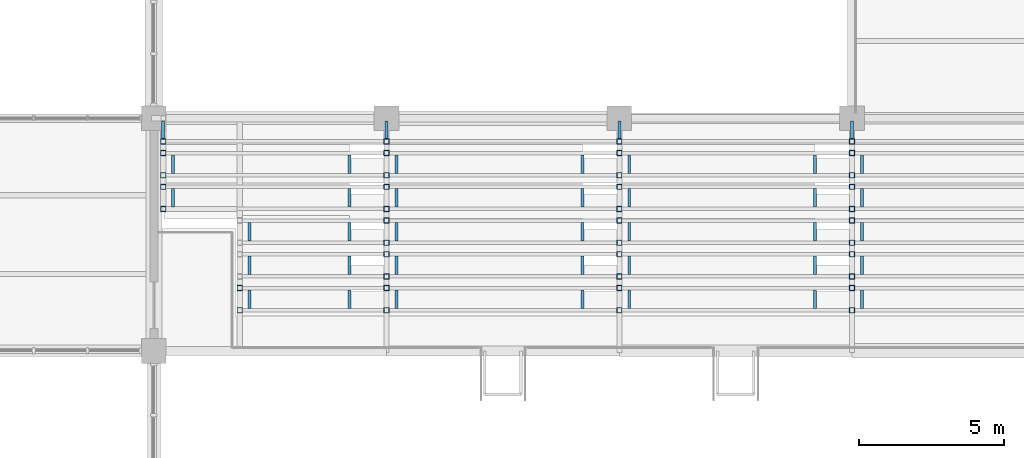
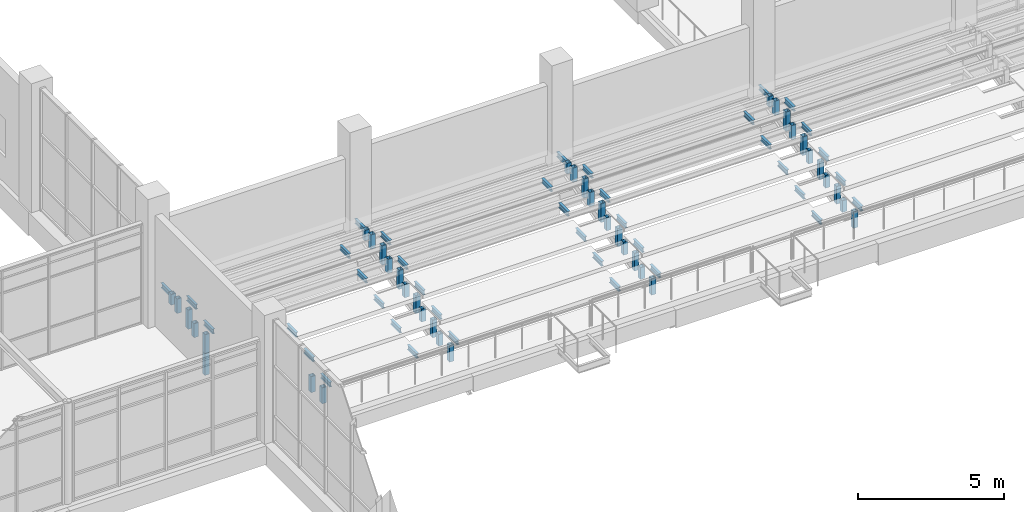
# One storey, part 68 of 122: 41 members, 39 beams.
"""IFC4 building model written with IfcOpenShell, lengths in metres."""

from ifc_helpers import new_model, si_unit, direction, frame, origin, origin_2d, place, context, subcontext, project, spatial, hollow_rectangle, i_section, extrude, material, material_profile, profile_set, type_object, element, save


model = new_model("IFC4")

# Units and contexts
model_context = context("Model", 3, precision=1e-05, world=origin(), true_north=direction((0.0, 1.0)))
body_context = subcontext(model_context, "Body", "Model", "MODEL_VIEW")
ifc_project = project(units=[si_unit("LENGTHUNIT", "METRE"), si_unit("AREAUNIT", "SQUARE_METRE"), si_unit("VOLUMEUNIT", "CUBIC_METRE"), si_unit("PLANEANGLEUNIT", "RADIAN"), si_unit("MASSUNIT", "GRAM", prefix="KILO")], contexts=[model_context])

# Site, building, storey
site_placement = place(None, origin())
site = spatial("IfcSite", under=ifc_project, at=site_placement, CompositionType="ELEMENT")
building_placement = place(site_placement, origin())
building = spatial("IfcBuilding", under=site, at=building_placement, Name="Tenunan Teduh Sports Hall", CompositionType="ELEMENT")
storey_placement = place(building_placement, frame((0.0, 0.0, 5.39990234375)))
storey = spatial("IfcBuildingStorey", under=building, at=storey_placement, Name="L01", CompositionType="ELEMENT", Elevation=5.39990234375)

# Beams
ifc_material_1 = material(Name="Steel S355", Category="steel")
ifc_material_profile_1 = material_profile(ifc_material_1, i_section(OverallWidth=0.10009765625, OverallDepth=0.199951171875, WebThickness=0.005615234375, FlangeThickness=0.008544921875, FilletRadius=0.011962890625, at=origin_2d()), Name="IPE 200")
ifc_profile_set_1 = profile_set([ifc_material_profile_1], Name="Steel S355")
beam_type = type_object("IfcBeamType", Name="JST-IPE200", PredefinedType="JOIST", material=ifc_profile_set_1)
for number, where, z_axis, x_axis, name in (
    (1, (122.320068359375, 45.2900390625, 1.380126953125), (0.0, 1.0, 0.0), (-1.0, 0.0, 0.0), "BM-J-01-L01-2243"),
    (2, (130.0, 45.2900390625, 1.380126953125), (0.0, 1.0, 0.0), (-1.0, 0.0, 0.0), "BM-J-01-L01-2245"),
    (3, (138.0, 45.2900390625, 1.380126953125), (0.0, 1.0, 0.0), (-1.0, 0.0, 0.0), "BM-J-01-L01-2247"),
    (4, (146.0, 45.2900390625, 1.380126953125), (0.0, 1.0, 0.0), (-1.0, 0.0, 0.0), "BM-J-01-L01-2249"),
):
    element("IfcBeam", number, at=place(storey_placement, frame(where, z_axis=z_axis, x_axis=x_axis)), inside=storey, type_object=beam_type, Name=name, PredefinedType="JOIST", context=body_context, shape_type="SweptSolid", body=[
        extrude(i_section(OverallWidth=0.10009765625, OverallDepth=0.199951171875, WebThickness=0.005615234375, FlangeThickness=0.008544921875, FilletRadius=0.011962890625, at=origin_2d()), origin(), (0.0, 0.0, 1.0), 0.619873046875),
    ])
for number, where, z_axis, x_axis, name in (
    (5, (125.2900390625, 39.4599609375, 0.070068359375), (0.0, 1.0, 0.0), (-1.0, 0.0, 0.0), "BM-J-01-L01-2270"),
    (6, (128.72998046875, 39.4599609375, 0.070068359375), (0.0, 1.0, 0.0), (-1.0, 0.0, 0.0), "BM-J-01-L01-2271"),
):
    element("IfcBeam", number, at=place(storey_placement, frame(where, z_axis=z_axis, x_axis=x_axis)), inside=storey, type_object=beam_type, Name=name, PredefinedType="JOIST", context=body_context, shape_type="SweptSolid", body=[
        extrude(i_section(OverallWidth=0.10009765625, OverallDepth=0.199951171875, WebThickness=0.005615234375, FlangeThickness=0.008544921875, FilletRadius=0.011962890625, at=origin_2d()), origin(), (0.0, 0.0, 1.0), 0.64013671875),
    ])
for number, where, z_axis, x_axis, name in (
    (7, (125.2900390625, 40.6201171875, 0.425048828125), (0.0, 1.0, 0.0), (-1.0, 0.0, 0.0), "BM-J-01-L01-2274"),
    (8, (128.72998046875, 40.6201171875, 0.425048828125), (0.0, 1.0, 0.0), (-1.0, 0.0, 0.0), "BM-J-01-L01-2275"),
    (9, (125.2900390625, 41.780029296875, 0.75), (0.0, 1.0, 0.0), (-1.0, 0.0, 0.0), "BM-J-01-L01-2278"),
    (10, (128.72998046875, 41.780029296875, 0.75), (0.0, 1.0, 0.0), (-1.0, 0.0, 0.0), "BM-J-01-L01-2279"),
):
    element("IfcBeam", number, at=place(storey_placement, frame(where, z_axis=z_axis, x_axis=x_axis)), inside=storey, type_object=beam_type, Name=name, PredefinedType="JOIST", context=body_context, shape_type="SweptSolid", body=[
        extrude(i_section(OverallWidth=0.10009765625, OverallDepth=0.199951171875, WebThickness=0.005615234375, FlangeThickness=0.008544921875, FilletRadius=0.011962890625, at=origin_2d()), origin(), (0.0, 0.0, 1.0), 0.639892578125),
    ])
for number, where, z_axis, x_axis, name in (
    (11, (122.659912109375, 42.93994140625, 1.10498046875), (0.0, 1.0, 0.0), (-1.0, 0.0, 0.0), "BM-J-01-L01-2282"),
    (12, (128.72998046875, 42.93994140625, 1.10498046875), (0.0, 1.0, 0.0), (-1.0, 0.0, 0.0), "BM-J-01-L01-2283"),
):
    element("IfcBeam", number, at=place(storey_placement, frame(where, z_axis=z_axis, x_axis=x_axis)), inside=storey, type_object=beam_type, Name=name, PredefinedType="JOIST", context=body_context, shape_type="SweptSolid", body=[
        extrude(i_section(OverallWidth=0.10009765625, OverallDepth=0.199951171875, WebThickness=0.005615234375, FlangeThickness=0.008544921875, FilletRadius=0.011962890625, at=origin_2d()), origin(), (0.0, 0.0, 1.0), 0.64013671875),
    ])
for number, where, z_axis, x_axis, name in (
    (13, (122.659912109375, 44.10009765625, 1.43017578125), (0.0, 1.0, 0.0), (-1.0, 0.0, 0.0), "BM-J-01-L01-2286"),
    (14, (128.72998046875, 44.10009765625, 1.43017578125), (0.0, 1.0, 0.0), (-1.0, 0.0, 0.0), "BM-J-01-L01-2287"),
):
    element("IfcBeam", number, at=place(storey_placement, frame(where, z_axis=z_axis, x_axis=x_axis)), inside=storey, type_object=beam_type, Name=name, PredefinedType="JOIST", context=body_context, shape_type="SweptSolid", body=[
        extrude(i_section(OverallWidth=0.10009765625, OverallDepth=0.199951171875, WebThickness=0.005615234375, FlangeThickness=0.008544921875, FilletRadius=0.011962890625, at=origin_2d()), origin(), (0.0, 0.0, 1.0), 0.639892578125),
    ])
for number, where, z_axis, x_axis, name in (
    (15, (130.340087890625, 39.4599609375, 0.070068359375), (0.0, 1.0, 0.0), (-1.0, 0.0, 0.0), "BM-J-01-L01-2290"),
    (16, (136.72998046875, 39.4599609375, 0.070068359375), (0.0, 1.0, 0.0), (-1.0, 0.0, 0.0), "BM-J-01-L01-2291"),
):
    element("IfcBeam", number, at=place(storey_placement, frame(where, z_axis=z_axis, x_axis=x_axis)), inside=storey, type_object=beam_type, Name=name, PredefinedType="JOIST", context=body_context, shape_type="SweptSolid", body=[
        extrude(i_section(OverallWidth=0.10009765625, OverallDepth=0.199951171875, WebThickness=0.005615234375, FlangeThickness=0.008544921875, FilletRadius=0.011962890625, at=origin_2d()), origin(), (0.0, 0.0, 1.0), 0.64013671875),
    ])
for number, where, z_axis, x_axis, name in (
    (17, (130.340087890625, 40.6201171875, 0.425048828125), (0.0, 1.0, 0.0), (-1.0, 0.0, 0.0), "BM-J-01-L01-2294"),
    (18, (136.72998046875, 40.6201171875, 0.425048828125), (0.0, 1.0, 0.0), (-1.0, 0.0, 0.0), "BM-J-01-L01-2295"),
    (19, (130.340087890625, 41.780029296875, 0.75), (0.0, 1.0, 0.0), (-1.0, 0.0, 0.0), "BM-J-01-L01-2298"),
    (20, (136.72998046875, 41.780029296875, 0.75), (0.0, 1.0, 0.0), (-1.0, 0.0, 0.0), "BM-J-01-L01-2299"),
):
    element("IfcBeam", number, at=place(storey_placement, frame(where, z_axis=z_axis, x_axis=x_axis)), inside=storey, type_object=beam_type, Name=name, PredefinedType="JOIST", context=body_context, shape_type="SweptSolid", body=[
        extrude(i_section(OverallWidth=0.10009765625, OverallDepth=0.199951171875, WebThickness=0.005615234375, FlangeThickness=0.008544921875, FilletRadius=0.011962890625, at=origin_2d()), origin(), (0.0, 0.0, 1.0), 0.639892578125),
    ])
for number, where, z_axis, x_axis, name in (
    (21, (130.340087890625, 42.93994140625, 1.10498046875), (0.0, 1.0, 0.0), (-1.0, 0.0, 0.0), "BM-J-01-L01-2302"),
    (22, (136.72998046875, 42.93994140625, 1.10498046875), (0.0, 1.0, 0.0), (-1.0, 0.0, 0.0), "BM-J-01-L01-2303"),
):
    element("IfcBeam", number, at=place(storey_placement, frame(where, z_axis=z_axis, x_axis=x_axis)), inside=storey, type_object=beam_type, Name=name, PredefinedType="JOIST", context=body_context, shape_type="SweptSolid", body=[
        extrude(i_section(OverallWidth=0.10009765625, OverallDepth=0.199951171875, WebThickness=0.005615234375, FlangeThickness=0.008544921875, FilletRadius=0.011962890625, at=origin_2d()), origin(), (0.0, 0.0, 1.0), 0.64013671875),
    ])
for number, where, z_axis, x_axis, name in (
    (23, (130.340087890625, 44.10009765625, 1.43017578125), (0.0, 1.0, 0.0), (-1.0, 0.0, 0.0), "BM-J-01-L01-2306"),
    (24, (136.72998046875, 44.10009765625, 1.43017578125), (0.0, 1.0, 0.0), (-1.0, 0.0, 0.0), "BM-J-01-L01-2307"),
):
    element("IfcBeam", number, at=place(storey_placement, frame(where, z_axis=z_axis, x_axis=x_axis)), inside=storey, type_object=beam_type, Name=name, PredefinedType="JOIST", context=body_context, shape_type="SweptSolid", body=[
        extrude(i_section(OverallWidth=0.10009765625, OverallDepth=0.199951171875, WebThickness=0.005615234375, FlangeThickness=0.008544921875, FilletRadius=0.011962890625, at=origin_2d()), origin(), (0.0, 0.0, 1.0), 0.639892578125),
    ])
for number, where, z_axis, x_axis, name in (
    (25, (138.340087890625, 39.4599609375, 0.070068359375), (0.0, 1.0, 0.0), (-1.0, 0.0, 0.0), "BM-J-01-L01-2310"),
    (26, (144.72998046875, 39.4599609375, 0.070068359375), (0.0, 1.0, 0.0), (-1.0, 0.0, 0.0), "BM-J-01-L01-2311"),
):
    element("IfcBeam", number, at=place(storey_placement, frame(where, z_axis=z_axis, x_axis=x_axis)), inside=storey, type_object=beam_type, Name=name, PredefinedType="JOIST", context=body_context, shape_type="SweptSolid", body=[
        extrude(i_section(OverallWidth=0.10009765625, OverallDepth=0.199951171875, WebThickness=0.005615234375, FlangeThickness=0.008544921875, FilletRadius=0.011962890625, at=origin_2d()), origin(), (0.0, 0.0, 1.0), 0.64013671875),
    ])
for number, where, z_axis, x_axis, name in (
    (27, (138.340087890625, 40.6201171875, 0.425048828125), (0.0, 1.0, 0.0), (-1.0, 0.0, 0.0), "BM-J-01-L01-2314"),
    (28, (144.72998046875, 40.6201171875, 0.425048828125), (0.0, 1.0, 0.0), (-1.0, 0.0, 0.0), "BM-J-01-L01-2315"),
    (29, (138.340087890625, 41.780029296875, 0.75), (0.0, 1.0, 0.0), (-1.0, 0.0, 0.0), "BM-J-01-L01-2318"),
    (30, (144.72998046875, 41.780029296875, 0.75), (0.0, 1.0, 0.0), (-1.0, 0.0, 0.0), "BM-J-01-L01-2319"),
):
    element("IfcBeam", number, at=place(storey_placement, frame(where, z_axis=z_axis, x_axis=x_axis)), inside=storey, type_object=beam_type, Name=name, PredefinedType="JOIST", context=body_context, shape_type="SweptSolid", body=[
        extrude(i_section(OverallWidth=0.10009765625, OverallDepth=0.199951171875, WebThickness=0.005615234375, FlangeThickness=0.008544921875, FilletRadius=0.011962890625, at=origin_2d()), origin(), (0.0, 0.0, 1.0), 0.639892578125),
    ])
for number, where, z_axis, x_axis, name in (
    (31, (138.340087890625, 42.93994140625, 1.10498046875), (0.0, 1.0, 0.0), (-1.0, 0.0, 0.0), "BM-J-01-L01-2322"),
    (32, (144.72998046875, 42.93994140625, 1.10498046875), (0.0, 1.0, 0.0), (-1.0, 0.0, 0.0), "BM-J-01-L01-2323"),
):
    element("IfcBeam", number, at=place(storey_placement, frame(where, z_axis=z_axis, x_axis=x_axis)), inside=storey, type_object=beam_type, Name=name, PredefinedType="JOIST", context=body_context, shape_type="SweptSolid", body=[
        extrude(i_section(OverallWidth=0.10009765625, OverallDepth=0.199951171875, WebThickness=0.005615234375, FlangeThickness=0.008544921875, FilletRadius=0.011962890625, at=origin_2d()), origin(), (0.0, 0.0, 1.0), 0.64013671875),
    ])
for number, where, z_axis, x_axis, name in (
    (33, (138.340087890625, 44.10009765625, 1.43017578125), (0.0, 1.0, 0.0), (-1.0, 0.0, 0.0), "BM-J-01-L01-2326"),
    (34, (144.72998046875, 44.10009765625, 1.43017578125), (0.0, 1.0, 0.0), (-1.0, 0.0, 0.0), "BM-J-01-L01-2327"),
):
    element("IfcBeam", number, at=place(storey_placement, frame(where, z_axis=z_axis, x_axis=x_axis)), inside=storey, type_object=beam_type, Name=name, PredefinedType="JOIST", context=body_context, shape_type="SweptSolid", body=[
        extrude(i_section(OverallWidth=0.10009765625, OverallDepth=0.199951171875, WebThickness=0.005615234375, FlangeThickness=0.008544921875, FilletRadius=0.011962890625, at=origin_2d()), origin(), (0.0, 0.0, 1.0), 0.639892578125),
    ])
beam_1_placement = place(storey_placement, frame((146.340087890625, 39.4599609375, 0.070068359375), z_axis=(0.0, 1.0, 0.0), x_axis=(-1.0, 0.0, 0.0)))
element("IfcBeam", 35, at=beam_1_placement, inside=storey, type_object=beam_type, Name="BM-J-01-L01-2330", PredefinedType="JOIST", context=body_context, shape_type="SweptSolid", body=[
    extrude(i_section(OverallWidth=0.10009765625, OverallDepth=0.199951171875, WebThickness=0.005615234375, FlangeThickness=0.008544921875, FilletRadius=0.011962890625, at=origin_2d()), origin(), (0.0, 0.0, 1.0), 0.64013671875),
])
for number, where, z_axis, x_axis, name in (
    (36, (146.340087890625, 40.6201171875, 0.425048828125), (0.0, 1.0, 0.0), (-1.0, 0.0, 0.0), "BM-J-01-L01-2334"),
    (37, (146.340087890625, 41.780029296875, 0.75), (0.0, 1.0, 0.0), (-1.0, 0.0, 0.0), "BM-J-01-L01-2338"),
):
    element("IfcBeam", number, at=place(storey_placement, frame(where, z_axis=z_axis, x_axis=x_axis)), inside=storey, type_object=beam_type, Name=name, PredefinedType="JOIST", context=body_context, shape_type="SweptSolid", body=[
        extrude(i_section(OverallWidth=0.10009765625, OverallDepth=0.199951171875, WebThickness=0.005615234375, FlangeThickness=0.008544921875, FilletRadius=0.011962890625, at=origin_2d()), origin(), (0.0, 0.0, 1.0), 0.639892578125),
    ])
beam_2_placement = place(storey_placement, frame((146.340087890625, 42.93994140625, 1.10498046875), z_axis=(0.0, 1.0, 0.0), x_axis=(-1.0, 0.0, 0.0)))
element("IfcBeam", 38, at=beam_2_placement, inside=storey, type_object=beam_type, Name="BM-J-01-L01-2342", PredefinedType="JOIST", context=body_context, shape_type="SweptSolid", body=[
    extrude(i_section(OverallWidth=0.10009765625, OverallDepth=0.199951171875, WebThickness=0.005615234375, FlangeThickness=0.008544921875, FilletRadius=0.011962890625, at=origin_2d()), origin(), (0.0, 0.0, 1.0), 0.64013671875),
])
beam_3_placement = place(storey_placement, frame((146.340087890625, 44.10009765625, 1.43017578125), z_axis=(0.0, 1.0, 0.0), x_axis=(-1.0, 0.0, 0.0)))
element("IfcBeam", 39, at=beam_3_placement, inside=storey, type_object=beam_type, Name="BM-J-01-L01-2346", PredefinedType="JOIST", context=body_context, shape_type="SweptSolid", body=[
    extrude(i_section(OverallWidth=0.10009765625, OverallDepth=0.199951171875, WebThickness=0.005615234375, FlangeThickness=0.008544921875, FilletRadius=0.011962890625, at=origin_2d()), origin(), (0.0, 0.0, 1.0), 0.639892578125),
])

# Members
ifc_material_2 = material(Name="Steel S355", Category="steel")
ifc_material_profile_2 = material_profile(ifc_material_2, hollow_rectangle(XDim=0.179931640625, YDim=0.179931640625, WallThickness=0.010009765625, at=origin_2d()), Name="SHS 180x180x10.0")
ifc_profile_set_2 = profile_set([ifc_material_profile_2], Name="Steel S355")
member_type = type_object("IfcMemberType", Name="MEM-ST-SHS180", PredefinedType="STRUT", material=ifc_profile_set_2)
member_1_placement = place(storey_placement, frame((122.320068359375, 42.8798828125, -0.5), z_axis=(0.0, 0.0, 1.0), x_axis=(1.0, 0.0, 0.0)))
element("IfcMember", 40, at=member_1_placement, inside=storey, type_object=member_type, Name="MEM-VS-03-L01-1282", PredefinedType="STRUT", context=body_context, shape_type="SweptSolid", body=[
    extrude(hollow_rectangle(XDim=0.179931640625, YDim=0.179931640625, WallThickness=0.010009765625, at=origin_2d()), origin(), (0.0, 0.0, 1.0), 0.908447265625),
])
for number, where, z_axis, x_axis, name in (
    (41, (122.320068359375, 45.199951171875, 1.03515625), (0.0, 0.0, 1.0), (1.0, 0.0, 0.0), "MEM-VS-03-L01-1284"),
    (42, (130.0, 45.199951171875, 1.03515625), (0.0, 0.0, 1.0), (1.0, 0.0, 0.0), "MEM-VS-03-L01-1285"),
    (43, (138.0, 45.199951171875, 1.03515625), (0.0, 0.0, 1.0), (1.0, 0.0, 0.0), "MEM-VS-03-L01-1286"),
    (44, (146.0, 45.199951171875, 1.03515625), (0.0, 0.0, 1.0), (1.0, 0.0, 0.0), "MEM-VS-03-L01-1287"),
):
    element("IfcMember", number, at=place(storey_placement, frame(where, z_axis=z_axis, x_axis=x_axis)), inside=storey, type_object=member_type, Name=name, PredefinedType="STRUT", context=body_context, shape_type="SweptSolid", body=[
        extrude(hollow_rectangle(XDim=0.179931640625, YDim=0.179931640625, WallThickness=0.010009765625, at=origin_2d()), origin(), (0.0, 0.0, 1.0), 0.44482421875),
    ])
for number, where, z_axis, x_axis, name in (
    (45, (124.949951171875, 39.39990234375, -0.5), (0.0, 0.0, 1.0), (1.0, 0.0, 0.0), "MEM-VS-03-L01-1293"),
    (46, (124.949951171875, 40.159912109375, -0.5), (0.0, 0.0, 1.0), (1.0, 0.0, 0.0), "MEM-VS-03-L01-1294"),
):
    element("IfcMember", number, at=place(storey_placement, frame(where, z_axis=z_axis, x_axis=x_axis)), inside=storey, type_object=member_type, Name=name, PredefinedType="STRUT", context=body_context, shape_type="SweptSolid", body=[
        extrude(hollow_rectangle(XDim=0.179931640625, YDim=0.179931640625, WallThickness=0.010009765625, at=origin_2d()), origin(), (0.0, 0.0, 1.0), 0.670166015625),
    ])
member_2_placement = place(storey_placement, frame((122.320068359375, 42.8798828125, 0.41162109375), z_axis=(0.0, 0.0, 1.0), x_axis=(1.0, 0.0, 0.0)))
element("IfcMember", 47, at=member_2_placement, inside=storey, type_object=member_type, Name="MEM-VS-03-L01-1299", PredefinedType="STRUT", context=body_context, shape_type="SweptSolid", body=[
    extrude(hollow_rectangle(XDim=0.179931640625, YDim=0.179931640625, WallThickness=0.010009765625, at=origin_2d()), origin(), (0.0, 0.0, 1.0), 0.79345703125),
])
member_3_placement = place(storey_placement, frame((122.320068359375, 43.639892578125, 0.615966796875), z_axis=(0.0, 0.0, 1.0), x_axis=(1.0, 0.0, 0.0)))
element("IfcMember", 48, at=member_3_placement, inside=storey, type_object=member_type, Name="MEM-VS-03-L01-1300", PredefinedType="STRUT", context=body_context, shape_type="SweptSolid", body=[
    extrude(hollow_rectangle(XDim=0.179931640625, YDim=0.179931640625, WallThickness=0.010009765625, at=origin_2d()), origin(), (0.0, 0.0, 1.0), 0.589111328125),
])
member_4_placement = place(storey_placement, frame((122.320068359375, 44.0400390625, 0.723388671875), z_axis=(0.0, 0.0, 1.0), x_axis=(1.0, 0.0, 0.0)))
element("IfcMember", 49, at=member_4_placement, inside=storey, type_object=member_type, Name="MEM-VS-03-L01-1301", PredefinedType="STRUT", context=body_context, shape_type="SweptSolid", body=[
    extrude(hollow_rectangle(XDim=0.179931640625, YDim=0.179931640625, WallThickness=0.010009765625, at=origin_2d()), origin(), (0.0, 0.0, 1.0), 0.806640625),
])
member_5_placement = place(storey_placement, frame((122.320068359375, 44.800048828125, 0.927490234375), z_axis=(0.0, 0.0, 1.0), x_axis=(1.0, 0.0, 0.0)))
element("IfcMember", 50, at=member_5_placement, inside=storey, type_object=member_type, Name="MEM-VS-03-L01-1302", PredefinedType="STRUT", context=body_context, shape_type="SweptSolid", body=[
    extrude(hollow_rectangle(XDim=0.179931640625, YDim=0.179931640625, WallThickness=0.010009765625, at=origin_2d()), origin(), (0.0, 0.0, 1.0), 0.6025390625),
])
member_6_placement = place(storey_placement, frame((130.0, 39.39990234375, -0.523681640625), z_axis=(0.0, 0.0, 1.0), x_axis=(1.0, 0.0, 0.0)))
element("IfcMember", 51, at=member_6_placement, inside=storey, type_object=member_type, Name="MEM-VS-03-L01-1303", PredefinedType="STRUT", context=body_context, shape_type="SweptSolid", body=[
    extrude(hollow_rectangle(XDim=0.179931640625, YDim=0.179931640625, WallThickness=0.010009765625, at=origin_2d()), origin(), (0.0, 0.0, 1.0), 0.69384765625),
])
member_7_placement = place(storey_placement, frame((130.0, 40.159912109375, -0.3193359375), z_axis=(0.0, 0.0, 1.0), x_axis=(1.0, 0.0, 0.0)))
element("IfcMember", 52, at=member_7_placement, inside=storey, type_object=member_type, Name="MEM-VS-03-L01-1304", PredefinedType="STRUT", context=body_context, shape_type="SweptSolid", body=[
    extrude(hollow_rectangle(XDim=0.179931640625, YDim=0.179931640625, WallThickness=0.010009765625, at=origin_2d()), origin(), (0.0, 0.0, 1.0), 0.489501953125),
])
member_8_placement = place(storey_placement, frame((130.0, 40.56005859375, -0.2119140625), z_axis=(0.0, 0.0, 1.0), x_axis=(1.0, 0.0, 0.0)))
element("IfcMember", 53, at=member_8_placement, inside=storey, type_object=member_type, Name="MEM-VS-03-L01-1305", PredefinedType="STRUT", context=body_context, shape_type="SweptSolid", body=[
    extrude(hollow_rectangle(XDim=0.179931640625, YDim=0.179931640625, WallThickness=0.010009765625, at=origin_2d()), origin(), (0.0, 0.0, 1.0), 0.737060546875),
])
member_9_placement = place(storey_placement, frame((130.0, 41.320068359375, -0.007568359375), z_axis=(0.0, 0.0, 1.0), x_axis=(1.0, 0.0, 0.0)))
element("IfcMember", 54, at=member_9_placement, inside=storey, type_object=member_type, Name="MEM-VS-03-L01-1306", PredefinedType="STRUT", context=body_context, shape_type="SweptSolid", body=[
    extrude(hollow_rectangle(XDim=0.179931640625, YDim=0.179931640625, WallThickness=0.010009765625, at=origin_2d()), origin(), (0.0, 0.0, 1.0), 0.53271484375),
])
member_10_placement = place(storey_placement, frame((130.0, 41.719970703125, 0.099853515625), z_axis=(0.0, 0.0, 1.0), x_axis=(1.0, 0.0, 0.0)))
element("IfcMember", 55, at=member_10_placement, inside=storey, type_object=member_type, Name="MEM-VS-03-L01-1307", PredefinedType="STRUT", context=body_context, shape_type="SweptSolid", body=[
    extrude(hollow_rectangle(XDim=0.179931640625, YDim=0.179931640625, WallThickness=0.010009765625, at=origin_2d()), origin(), (0.0, 0.0, 1.0), 0.750244140625),
])
member_11_placement = place(storey_placement, frame((130.0, 42.47998046875, 0.30419921875), z_axis=(0.0, 0.0, 1.0), x_axis=(1.0, 0.0, 0.0)))
element("IfcMember", 56, at=member_11_placement, inside=storey, type_object=member_type, Name="MEM-VS-03-L01-1308", PredefinedType="STRUT", context=body_context, shape_type="SweptSolid", body=[
    extrude(hollow_rectangle(XDim=0.179931640625, YDim=0.179931640625, WallThickness=0.010009765625, at=origin_2d()), origin(), (0.0, 0.0, 1.0), 0.5458984375),
])
member_12_placement = place(storey_placement, frame((130.0, 42.8798828125, 0.41162109375), z_axis=(0.0, 0.0, 1.0), x_axis=(1.0, 0.0, 0.0)))
element("IfcMember", 57, at=member_12_placement, inside=storey, type_object=member_type, Name="MEM-VS-03-L01-1309", PredefinedType="STRUT", context=body_context, shape_type="SweptSolid", body=[
    extrude(hollow_rectangle(XDim=0.179931640625, YDim=0.179931640625, WallThickness=0.010009765625, at=origin_2d()), origin(), (0.0, 0.0, 1.0), 0.79345703125),
])
member_13_placement = place(storey_placement, frame((130.0, 43.639892578125, 0.615966796875), z_axis=(0.0, 0.0, 1.0), x_axis=(1.0, 0.0, 0.0)))
element("IfcMember", 58, at=member_13_placement, inside=storey, type_object=member_type, Name="MEM-VS-03-L01-1310", PredefinedType="STRUT", context=body_context, shape_type="SweptSolid", body=[
    extrude(hollow_rectangle(XDim=0.179931640625, YDim=0.179931640625, WallThickness=0.010009765625, at=origin_2d()), origin(), (0.0, 0.0, 1.0), 0.589111328125),
])
member_14_placement = place(storey_placement, frame((130.0, 44.0400390625, 0.723388671875), z_axis=(0.0, 0.0, 1.0), x_axis=(1.0, 0.0, 0.0)))
element("IfcMember", 59, at=member_14_placement, inside=storey, type_object=member_type, Name="MEM-VS-03-L01-1311", PredefinedType="STRUT", context=body_context, shape_type="SweptSolid", body=[
    extrude(hollow_rectangle(XDim=0.179931640625, YDim=0.179931640625, WallThickness=0.010009765625, at=origin_2d()), origin(), (0.0, 0.0, 1.0), 0.806640625),
])
member_15_placement = place(storey_placement, frame((130.0, 44.800048828125, 0.927490234375), z_axis=(0.0, 0.0, 1.0), x_axis=(1.0, 0.0, 0.0)))
element("IfcMember", 60, at=member_15_placement, inside=storey, type_object=member_type, Name="MEM-VS-03-L01-1312", PredefinedType="STRUT", context=body_context, shape_type="SweptSolid", body=[
    extrude(hollow_rectangle(XDim=0.179931640625, YDim=0.179931640625, WallThickness=0.010009765625, at=origin_2d()), origin(), (0.0, 0.0, 1.0), 0.6025390625),
])
member_16_placement = place(storey_placement, frame((138.0, 39.39990234375, -0.523681640625), z_axis=(0.0, 0.0, 1.0), x_axis=(1.0, 0.0, 0.0)))
element("IfcMember", 61, at=member_16_placement, inside=storey, type_object=member_type, Name="MEM-VS-03-L01-1313", PredefinedType="STRUT", context=body_context, shape_type="SweptSolid", body=[
    extrude(hollow_rectangle(XDim=0.179931640625, YDim=0.179931640625, WallThickness=0.010009765625, at=origin_2d()), origin(), (0.0, 0.0, 1.0), 0.69384765625),
])
member_17_placement = place(storey_placement, frame((138.0, 40.159912109375, -0.3193359375), z_axis=(0.0, 0.0, 1.0), x_axis=(1.0, 0.0, 0.0)))
element("IfcMember", 62, at=member_17_placement, inside=storey, type_object=member_type, Name="MEM-VS-03-L01-1314", PredefinedType="STRUT", context=body_context, shape_type="SweptSolid", body=[
    extrude(hollow_rectangle(XDim=0.179931640625, YDim=0.179931640625, WallThickness=0.010009765625, at=origin_2d()), origin(), (0.0, 0.0, 1.0), 0.489501953125),
])
member_18_placement = place(storey_placement, frame((138.0, 40.56005859375, -0.2119140625), z_axis=(0.0, 0.0, 1.0), x_axis=(1.0, 0.0, 0.0)))
element("IfcMember", 63, at=member_18_placement, inside=storey, type_object=member_type, Name="MEM-VS-03-L01-1315", PredefinedType="STRUT", context=body_context, shape_type="SweptSolid", body=[
    extrude(hollow_rectangle(XDim=0.179931640625, YDim=0.179931640625, WallThickness=0.010009765625, at=origin_2d()), origin(), (0.0, 0.0, 1.0), 0.737060546875),
])
member_19_placement = place(storey_placement, frame((138.0, 41.320068359375, -0.007568359375), z_axis=(0.0, 0.0, 1.0), x_axis=(1.0, 0.0, 0.0)))
element("IfcMember", 64, at=member_19_placement, inside=storey, type_object=member_type, Name="MEM-VS-03-L01-1316", PredefinedType="STRUT", context=body_context, shape_type="SweptSolid", body=[
    extrude(hollow_rectangle(XDim=0.179931640625, YDim=0.179931640625, WallThickness=0.010009765625, at=origin_2d()), origin(), (0.0, 0.0, 1.0), 0.53271484375),
])
member_20_placement = place(storey_placement, frame((138.0, 41.719970703125, 0.099853515625), z_axis=(0.0, 0.0, 1.0), x_axis=(1.0, 0.0, 0.0)))
element("IfcMember", 65, at=member_20_placement, inside=storey, type_object=member_type, Name="MEM-VS-03-L01-1317", PredefinedType="STRUT", context=body_context, shape_type="SweptSolid", body=[
    extrude(hollow_rectangle(XDim=0.179931640625, YDim=0.179931640625, WallThickness=0.010009765625, at=origin_2d()), origin(), (0.0, 0.0, 1.0), 0.750244140625),
])
member_21_placement = place(storey_placement, frame((138.0, 42.47998046875, 0.30419921875), z_axis=(0.0, 0.0, 1.0), x_axis=(1.0, 0.0, 0.0)))
element("IfcMember", 66, at=member_21_placement, inside=storey, type_object=member_type, Name="MEM-VS-03-L01-1318", PredefinedType="STRUT", context=body_context, shape_type="SweptSolid", body=[
    extrude(hollow_rectangle(XDim=0.179931640625, YDim=0.179931640625, WallThickness=0.010009765625, at=origin_2d()), origin(), (0.0, 0.0, 1.0), 0.5458984375),
])
member_22_placement = place(storey_placement, frame((138.0, 42.8798828125, 0.41162109375), z_axis=(0.0, 0.0, 1.0), x_axis=(1.0, 0.0, 0.0)))
element("IfcMember", 67, at=member_22_placement, inside=storey, type_object=member_type, Name="MEM-VS-03-L01-1319", PredefinedType="STRUT", context=body_context, shape_type="SweptSolid", body=[
    extrude(hollow_rectangle(XDim=0.179931640625, YDim=0.179931640625, WallThickness=0.010009765625, at=origin_2d()), origin(), (0.0, 0.0, 1.0), 0.79345703125),
])
member_23_placement = place(storey_placement, frame((138.0, 43.639892578125, 0.615966796875), z_axis=(0.0, 0.0, 1.0), x_axis=(1.0, 0.0, 0.0)))
element("IfcMember", 68, at=member_23_placement, inside=storey, type_object=member_type, Name="MEM-VS-03-L01-1320", PredefinedType="STRUT", context=body_context, shape_type="SweptSolid", body=[
    extrude(hollow_rectangle(XDim=0.179931640625, YDim=0.179931640625, WallThickness=0.010009765625, at=origin_2d()), origin(), (0.0, 0.0, 1.0), 0.589111328125),
])
member_24_placement = place(storey_placement, frame((138.0, 44.0400390625, 0.723388671875), z_axis=(0.0, 0.0, 1.0), x_axis=(1.0, 0.0, 0.0)))
element("IfcMember", 69, at=member_24_placement, inside=storey, type_object=member_type, Name="MEM-VS-03-L01-1321", PredefinedType="STRUT", context=body_context, shape_type="SweptSolid", body=[
    extrude(hollow_rectangle(XDim=0.179931640625, YDim=0.179931640625, WallThickness=0.010009765625, at=origin_2d()), origin(), (0.0, 0.0, 1.0), 0.806640625),
])
member_25_placement = place(storey_placement, frame((138.0, 44.800048828125, 0.927490234375), z_axis=(0.0, 0.0, 1.0), x_axis=(1.0, 0.0, 0.0)))
element("IfcMember", 70, at=member_25_placement, inside=storey, type_object=member_type, Name="MEM-VS-03-L01-1322", PredefinedType="STRUT", context=body_context, shape_type="SweptSolid", body=[
    extrude(hollow_rectangle(XDim=0.179931640625, YDim=0.179931640625, WallThickness=0.010009765625, at=origin_2d()), origin(), (0.0, 0.0, 1.0), 0.6025390625),
])
member_26_placement = place(storey_placement, frame((146.0, 39.39990234375, -0.523681640625), z_axis=(0.0, 0.0, 1.0), x_axis=(1.0, 0.0, 0.0)))
element("IfcMember", 71, at=member_26_placement, inside=storey, type_object=member_type, Name="MEM-VS-03-L01-1323", PredefinedType="STRUT", context=body_context, shape_type="SweptSolid", body=[
    extrude(hollow_rectangle(XDim=0.179931640625, YDim=0.179931640625, WallThickness=0.010009765625, at=origin_2d()), origin(), (0.0, 0.0, 1.0), 0.69384765625),
])
member_27_placement = place(storey_placement, frame((146.0, 40.159912109375, -0.3193359375), z_axis=(0.0, 0.0, 1.0), x_axis=(1.0, 0.0, 0.0)))
element("IfcMember", 72, at=member_27_placement, inside=storey, type_object=member_type, Name="MEM-VS-03-L01-1324", PredefinedType="STRUT", context=body_context, shape_type="SweptSolid", body=[
    extrude(hollow_rectangle(XDim=0.179931640625, YDim=0.179931640625, WallThickness=0.010009765625, at=origin_2d()), origin(), (0.0, 0.0, 1.0), 0.489501953125),
])
member_28_placement = place(storey_placement, frame((146.0, 40.56005859375, -0.2119140625), z_axis=(0.0, 0.0, 1.0), x_axis=(1.0, 0.0, 0.0)))
element("IfcMember", 73, at=member_28_placement, inside=storey, type_object=member_type, Name="MEM-VS-03-L01-1325", PredefinedType="STRUT", context=body_context, shape_type="SweptSolid", body=[
    extrude(hollow_rectangle(XDim=0.179931640625, YDim=0.179931640625, WallThickness=0.010009765625, at=origin_2d()), origin(), (0.0, 0.0, 1.0), 0.737060546875),
])
member_29_placement = place(storey_placement, frame((146.0, 41.320068359375, -0.007568359375), z_axis=(0.0, 0.0, 1.0), x_axis=(1.0, 0.0, 0.0)))
element("IfcMember", 74, at=member_29_placement, inside=storey, type_object=member_type, Name="MEM-VS-03-L01-1326", PredefinedType="STRUT", context=body_context, shape_type="SweptSolid", body=[
    extrude(hollow_rectangle(XDim=0.179931640625, YDim=0.179931640625, WallThickness=0.010009765625, at=origin_2d()), origin(), (0.0, 0.0, 1.0), 0.53271484375),
])
member_30_placement = place(storey_placement, frame((146.0, 41.719970703125, 0.099853515625), z_axis=(0.0, 0.0, 1.0), x_axis=(1.0, 0.0, 0.0)))
element("IfcMember", 75, at=member_30_placement, inside=storey, type_object=member_type, Name="MEM-VS-03-L01-1327", PredefinedType="STRUT", context=body_context, shape_type="SweptSolid", body=[
    extrude(hollow_rectangle(XDim=0.179931640625, YDim=0.179931640625, WallThickness=0.010009765625, at=origin_2d()), origin(), (0.0, 0.0, 1.0), 0.750244140625),
])
member_31_placement = place(storey_placement, frame((146.0, 42.47998046875, 0.30419921875), z_axis=(0.0, 0.0, 1.0), x_axis=(1.0, 0.0, 0.0)))
element("IfcMember", 76, at=member_31_placement, inside=storey, type_object=member_type, Name="MEM-VS-03-L01-1328", PredefinedType="STRUT", context=body_context, shape_type="SweptSolid", body=[
    extrude(hollow_rectangle(XDim=0.179931640625, YDim=0.179931640625, WallThickness=0.010009765625, at=origin_2d()), origin(), (0.0, 0.0, 1.0), 0.5458984375),
])
member_32_placement = place(storey_placement, frame((146.0, 42.8798828125, 0.41162109375), z_axis=(0.0, 0.0, 1.0), x_axis=(1.0, 0.0, 0.0)))
element("IfcMember", 77, at=member_32_placement, inside=storey, type_object=member_type, Name="MEM-VS-03-L01-1329", PredefinedType="STRUT", context=body_context, shape_type="SweptSolid", body=[
    extrude(hollow_rectangle(XDim=0.179931640625, YDim=0.179931640625, WallThickness=0.010009765625, at=origin_2d()), origin(), (0.0, 0.0, 1.0), 0.79345703125),
])
member_33_placement = place(storey_placement, frame((146.0, 43.639892578125, 0.615966796875), z_axis=(0.0, 0.0, 1.0), x_axis=(1.0, 0.0, 0.0)))
element("IfcMember", 78, at=member_33_placement, inside=storey, type_object=member_type, Name="MEM-VS-03-L01-1330", PredefinedType="STRUT", context=body_context, shape_type="SweptSolid", body=[
    extrude(hollow_rectangle(XDim=0.179931640625, YDim=0.179931640625, WallThickness=0.010009765625, at=origin_2d()), origin(), (0.0, 0.0, 1.0), 0.589111328125),
])
member_34_placement = place(storey_placement, frame((146.0, 44.0400390625, 0.723388671875), z_axis=(0.0, 0.0, 1.0), x_axis=(1.0, 0.0, 0.0)))
element("IfcMember", 79, at=member_34_placement, inside=storey, type_object=member_type, Name="MEM-VS-03-L01-1331", PredefinedType="STRUT", context=body_context, shape_type="SweptSolid", body=[
    extrude(hollow_rectangle(XDim=0.179931640625, YDim=0.179931640625, WallThickness=0.010009765625, at=origin_2d()), origin(), (0.0, 0.0, 1.0), 0.806640625),
])
member_35_placement = place(storey_placement, frame((146.0, 44.800048828125, 0.927490234375), z_axis=(0.0, 0.0, 1.0), x_axis=(1.0, 0.0, 0.0)))
element("IfcMember", 80, at=member_35_placement, inside=storey, type_object=member_type, Name="MEM-VS-03-L01-1332", PredefinedType="STRUT", context=body_context, shape_type="SweptSolid", body=[
    extrude(hollow_rectangle(XDim=0.179931640625, YDim=0.179931640625, WallThickness=0.010009765625, at=origin_2d()), origin(), (0.0, 0.0, 1.0), 0.6025390625),
])

save(model, "model.ifc")
